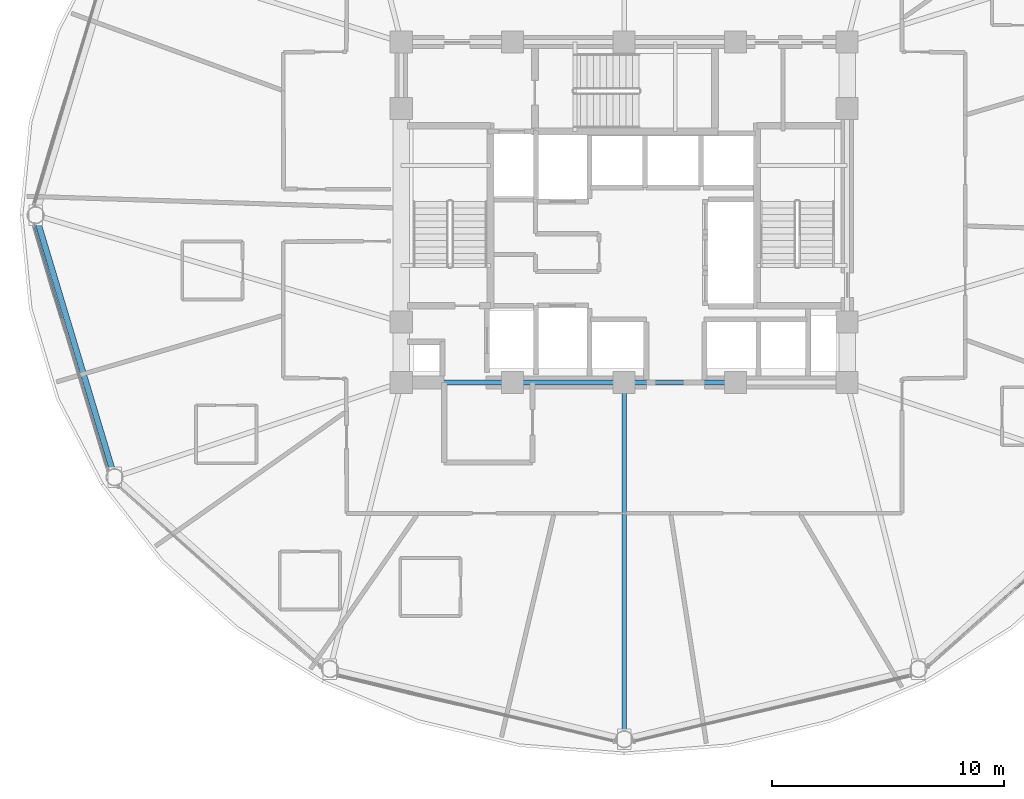
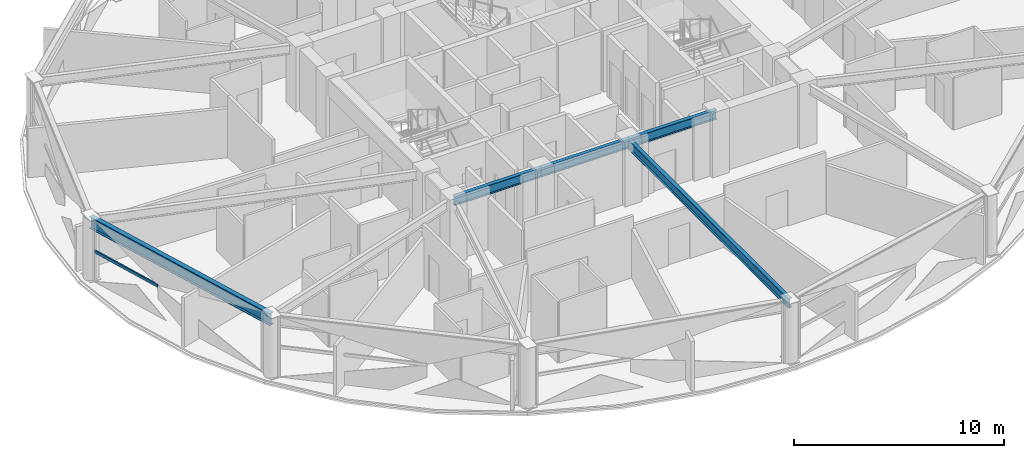
# One storey, part 6 of 31: 5 beams, 1 member, 1 element without a shape of its own.
"""IFC4 building model written with IfcOpenShell, lengths in metres."""

from ifc_helpers import new_model, si_unit, direction, frame, origin, origin_2d, place, context, subcontext, project, spatial, hollow_rectangle, i_section, extrude, material, layer, layer_set, material_profile, profile_set, type_object, element, aggregate, save


model = new_model("IFC4")

# Units and contexts
model_context = context("Model", 3, precision=1e-05, world=origin(), true_north=direction((0.0, 1.0)))
body_context = subcontext(model_context, "Body", "Model", "MODEL_VIEW")
ifc_project = project(units=[si_unit("LENGTHUNIT", "METRE"), si_unit("AREAUNIT", "SQUARE_METRE"), si_unit("VOLUMEUNIT", "CUBIC_METRE"), si_unit("PLANEANGLEUNIT", "RADIAN"), si_unit("MASSUNIT", "GRAM", prefix="KILO")], contexts=[model_context])

# Site, building, storey
site_placement = place(None, origin())
site = spatial("IfcSite", under=ifc_project, at=site_placement, CompositionType="ELEMENT")
building_placement = place(site_placement, origin())
building = spatial("IfcBuilding", under=site, at=building_placement, Name="Vantalir Tower", CompositionType="ELEMENT")
storey_placement = place(building_placement, frame((0.0, 0.0, 115.949951171875)))
storey = spatial("IfcBuildingStorey", under=building, at=storey_placement, Name="L28", CompositionType="ELEMENT", Elevation=115.949951171875)

# Beams
ifc_material_1 = material(Name="Steel S355", Category="steel")
ifc_material_profile_1 = material_profile(ifc_material_1, i_section(OverallWidth=0.2109375, OverallDepth=0.5390625, WebThickness=0.01171875, FlangeThickness=0.018798828125, at=origin_2d()), Name="Steel S355")
ifc_profile_set_1 = profile_set([ifc_material_profile_1], Name="Steel S355")
beam_type_1 = type_object("IfcBeamType", Name="BM-RB-533x210", PredefinedType="BEAM", material=ifc_profile_set_1)
for number, where, z_axis, x_axis, name in (
    (1, (21.89990234375, 17.800048828125, 3.300048828125), (1.0, 0.0, 0.0), (0.0, 1.0, 0.0), "L28 Core Coupling Girder 01"),
    (2, (26.699951171875, 17.800048828125, 3.300048828125), (1.0, 0.0, 0.0), (0.0, 1.0, 0.0), "L28 Core Coupling Girder 02"),
    (3, (31.5, 17.800048828125, 3.300048828125), (1.0, 0.0, 0.0), (0.0, 1.0, 0.0), "L28 Core Coupling Girder 03"),
):
    element("IfcBeam", number, at=place(storey_placement, frame(where, z_axis=z_axis, x_axis=x_axis)), inside=storey, type_object=beam_type_1, Name=name, PredefinedType="BEAM", context=body_context, shape_type="SweptSolid", body=[
        extrude(i_section(OverallWidth=0.2109375, OverallDepth=0.5390625, WebThickness=0.01171875, FlangeThickness=0.018798828125, at=origin_2d()), origin(), (0.0, 0.0, 1.0), 4.800048828125),
    ])
beam_1_placement = place(storey_placement, frame((31.5, 2.43408203125, 3.300048828125), z_axis=(0.0, 1.0, 0.0), x_axis=(-1.0, 0.0, 0.0)))
element("IfcBeam", 4, at=beam_1_placement, inside=storey, type_object=beam_type_1, Name="L28 Radial Floor Beam 10", PredefinedType="BEAM", context=body_context, shape_type="SweptSolid", body=[
    extrude(i_section(OverallWidth=0.2109375, OverallDepth=0.5390625, WebThickness=0.01171875, FlangeThickness=0.018798828125, at=origin_2d()), origin(), (0.0, 0.0, 1.0), 15.365966796875),
])
ifc_material_2 = material(Name="Steel S460", Category="steel")
ifc_material_profile_2 = material_profile(ifc_material_2, i_section(OverallWidth=0.256103515625, OverallDepth=0.693115234375, WebThickness=0.014404296875, FlangeThickness=0.023681640625, at=origin_2d()), Name="Steel S460")
ifc_profile_set_2 = profile_set([ifc_material_profile_2], Name="Steel S460")
beam_type_2 = type_object("IfcBeamType", Name="BM-RG-686x254", PredefinedType="USERDEFINED", material=ifc_profile_set_2)
beam_2_placement = place(storey_placement, frame((6.159912109375, 25.0, 3.22314453125), z_axis=(0.288136680777, -0.957589292542, 0.0), x_axis=(0.957589292542, 0.288136680777, 0.0)))
element("IfcBeam", 5, at=beam_2_placement, inside=storey, type_object=beam_type_2, Name="L28 Circumferential Ring Girder 07", ObjectType="GIRDER", PredefinedType="USERDEFINED", context=body_context, shape_type="SweptSolid", body=[
    extrude(i_section(OverallWidth=0.256103515625, OverallDepth=0.693115234375, WebThickness=0.014404296875, FlangeThickness=0.023681640625, at=origin_2d()), origin(), (0.0, 0.0, 1.0), 11.78271484375),
])

# Curtain wall, member
ifc_material_3 = material(Name="Champagne-silver PVDF aluminium and double-silver Low-E glass", Category="aluminium")
ifc_layer = layer(ifc_material_3, 0.199951171875)
ifc_layer_set = layer_set([ifc_layer], Name="Champagne-silver PVDF aluminium and double-silver Low-E glass")
curtain_wall_type = type_object("IfcCurtainWallType", Name="CW-DIAMOND-Z2", PredefinedType="USERDEFINED", material=ifc_layer_set)
curtain_wall_placement = place(storey_placement, origin())
curtain_wall = element("IfcCurtainWall", 6, at=curtain_wall_placement, inside=storey, type_object=curtain_wall_type, Name="L28 Quilted Pyramid-Diamond Curtain Wall S07", ObjectType="UNITISED CURTAIN WALL", PredefinedType="USERDEFINED")
ifc_material_4 = material(Name="Champagne-silver PVDF aluminium 6063-T6", Category="aluminium")
ifc_material_profile_3 = material_profile(ifc_material_4, hollow_rectangle(XDim=0.074951171875, YDim=0.159912109375, WallThickness=0.00390625, at=origin_2d()), Name="Champagne-silver PVDF aluminium 6063-T6")
ifc_profile_set_3 = profile_set([ifc_material_profile_3], Name="Champagne-silver PVDF aluminium 6063-T6")
member_type = type_object("IfcMemberType", Name="CWT-160x75", PredefinedType="USERDEFINED", material=ifc_profile_set_3)
member_placement = place(storey_placement, frame((6.096923828125, 24.5791015625, 1.78515625), z_axis=(0.282191634129, -0.95935805705, 0.0), x_axis=(0.95935805705, 0.282191634129, 0.0)))
member = element("IfcMember", 7, at=member_placement, type_object=member_type, Name="CW-L28-S07 Pyramid Fold Ridge Transom", ObjectType="TRANSOM", PredefinedType="USERDEFINED", context=body_context, shape_type="SweptSolid", body=[
    extrude(hollow_rectangle(XDim=0.074951171875, YDim=0.159912109375, WallThickness=0.00390625, at=origin_2d()), origin(), (0.0, 0.0, 1.0), 4.177734375),
])
aggregate(curtain_wall, [member])

save(model, "model.ifc")
